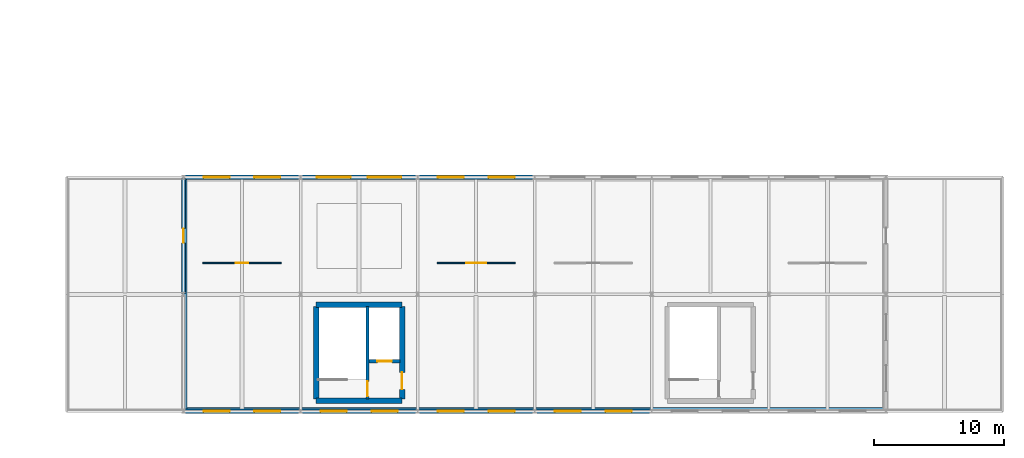
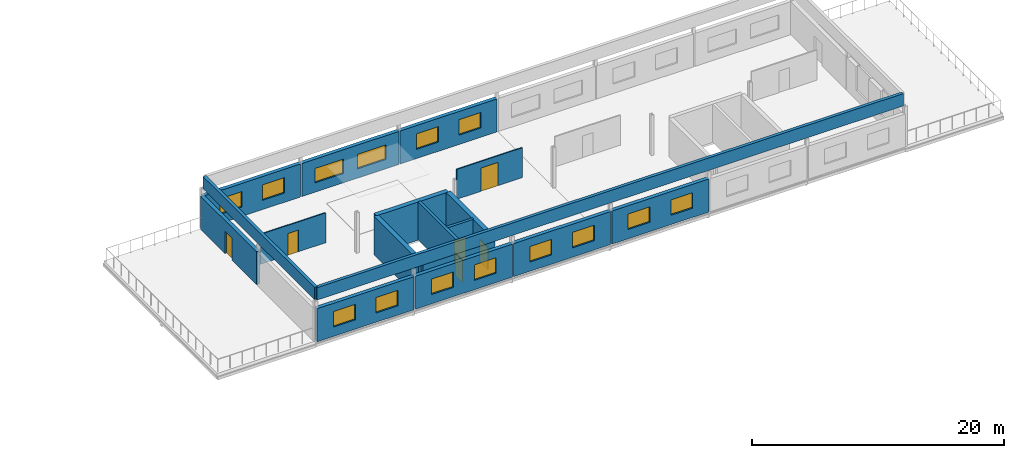
# One storey, part 12 of 18: 18 walls, 14 windows, 6 doors, 20 openings.
"""IFC4 building model written with IfcOpenShell, lengths in metres."""

from ifc_helpers import new_model, si_unit, direction, frame, frame_2d, origin, place, context, subcontext, project, spatial, rectangle, extrude, material, layer, layer_set, type_object, element, fill, save


model = new_model("IFC4")

# Units and contexts
model_context = context("Model", 3, precision=1e-05, world=origin(), true_north=direction((0.0, 1.0)))
body_context = subcontext(model_context, "Body", "Model", "MODEL_VIEW")
ifc_project = project(units=[si_unit("LENGTHUNIT", "METRE"), si_unit("AREAUNIT", "SQUARE_METRE"), si_unit("VOLUMEUNIT", "CUBIC_METRE"), si_unit("PLANEANGLEUNIT", "RADIAN"), si_unit("MASSUNIT", "GRAM", prefix="KILO")], contexts=[model_context])

# Site, building, storey
site_placement = place(None, origin())
site = spatial("IfcSite", under=ifc_project, at=site_placement, CompositionType="ELEMENT")
building_placement = place(site_placement, origin())
building = spatial("IfcBuilding", under=site, at=building_placement, Name="Kildeholm Park Wholesale Market", CompositionType="ELEMENT")
storey_placement = place(building_placement, frame((0.0, 0.0, 13.5)))
storey = spatial("IfcBuildingStorey", under=building, at=storey_placement, Name="L03", CompositionType="ELEMENT", Elevation=13.5)

# Wall, openings, windows
ifc_material_1 = material(Name="Precast concrete C40/50 architectural rainscreen wall", Category="concrete")
ifc_layer_1 = layer(ifc_material_1, 0.340087890625)
ifc_layer_set_1 = layer_set([ifc_layer_1], Name="Precast concrete C40/50 architectural rainscreen wall")
wall_type_1 = type_object("IfcWallType", Name="Exterior wall W-EX4 340 mm", PredefinedType="SOLIDWALL", material=ifc_layer_set_1)
wall_1_placement = place(storey_placement, frame((135.06005859375, 0.0, 0.0), z_axis=(0.0, 0.0, 1.0), x_axis=(1.0, 0.0, 0.0)))
wall_1 = element("IfcWall", 1, at=wall_1_placement, inside=storey, type_object=wall_type_1, Name="Exterior wall V5E-L03-S01.1 WL-0627", PredefinedType="SOLIDWALL", context=body_context, shape_type="SweptSolid", body=[
    extrude(rectangle(XDim=8.8798828125, YDim=0.340087890625, at=frame_2d((4.43994140625, 0.0))), origin(), (0.0, 0.0, 1.0), 3.199951171875),
])
opening_1_placement = place(wall_1_placement, frame((1.486083984375, 0.0, 0.89990234375)))
opening_1 = element("IfcOpeningElement", 2, at=opening_1_placement, cuts=wall_1, Name="Opening WN-12", PredefinedType="OPENING", context=body_context, shape_type="SweptSolid", body=[
    extrude(rectangle(XDim=2.0, YDim=1.5, at=frame_2d((1.0, 0.75))), frame((0.0, 0.179931640625, 0.0), z_axis=(0.0, -1.0, 0.0), x_axis=(1.0, 0.0, 0.0)), (0.0, 0.0, 1.0), 0.360107421875),
])
opening_2_placement = place(wall_1_placement, frame((5.39404296875, 0.0, 0.89990234375)))
opening_2 = element("IfcOpeningElement", 3, at=opening_2_placement, cuts=wall_1, Name="Opening WN-12", PredefinedType="OPENING", context=body_context, shape_type="SweptSolid", body=[
    extrude(rectangle(XDim=2.0, YDim=1.5, at=frame_2d((1.0, 0.75))), frame((0.0, 0.179931640625, 0.0), z_axis=(0.0, -1.0, 0.0), x_axis=(1.0, 0.0, 0.0)), (0.0, 0.0, 1.0), 0.360107421875),
])
ifc_material_2 = material(Name="Thermally broken aluminium and triple-glazed low-E glass", Category="aluminium")
window_type_1 = type_object("IfcWindowType", Name="Window WN-12 2000x1500", PartitioningType="DOUBLE_PANEL_VERTICAL", PredefinedType="WINDOW", material=ifc_material_2)
window_1_placement = place(opening_1_placement, origin())
window_1 = element("IfcWindow", 4, at=window_1_placement, inside=storey, type_object=window_type_1, Name="Window V5E-L03-S01.1.1 WIN-0440", OverallHeight=1.5, OverallWidth=2.0, PartitioningType="SINGLE_PANEL", PredefinedType="WINDOW", context=body_context, shape_type="SweptSolid", body=[
    extrude(rectangle(XDim=2.0, YDim=1.5, at=frame_2d((1.0, 0.75))), frame((0.0, 0.030029296875, 0.0), z_axis=(0.0, -1.0, 0.0), x_axis=(1.0, 0.0, 0.0)), (0.0, 0.0, 1.0), 0.06005859375),
])
fill(opening_1, window_1)
window_2_placement = place(opening_2_placement, origin())
window_2 = element("IfcWindow", 5, at=window_2_placement, inside=storey, type_object=window_type_1, Name="Window V5E-L03-S01.1.2 WIN-0441", OverallHeight=1.5, OverallWidth=2.0, PartitioningType="SINGLE_PANEL", PredefinedType="WINDOW", context=body_context, shape_type="SweptSolid", body=[
    extrude(rectangle(XDim=2.0, YDim=1.5, at=frame_2d((1.0, 0.75))), frame((0.0, 0.030029296875, 0.0), z_axis=(0.0, -1.0, 0.0), x_axis=(1.0, 0.0, 0.0)), (0.0, 0.0, 1.0), 0.06005859375),
])
fill(opening_2, window_2)

wall_2_placement = place(storey_placement, frame((144.06005859375, 0.0, 0.0), z_axis=(0.0, 0.0, 1.0), x_axis=(1.0, 0.0, 0.0)))
wall_2 = element("IfcWall", 6, at=wall_2_placement, inside=storey, type_object=wall_type_1, Name="Exterior wall V5E-L03-S02.1 WL-0628", PredefinedType="SOLIDWALL", context=body_context, shape_type="SweptSolid", body=[
    extrude(rectangle(XDim=8.8798828125, YDim=0.340087890625, at=frame_2d((4.43994140625, 0.0))), origin(), (0.0, 0.0, 1.0), 3.199951171875),
])
opening_3_placement = place(wall_2_placement, frame((1.486083984375, 0.0, 0.89990234375)))
opening_3 = element("IfcOpeningElement", 7, at=opening_3_placement, cuts=wall_2, Name="Opening WN-12", PredefinedType="OPENING", context=body_context, shape_type="SweptSolid", body=[
    extrude(rectangle(XDim=2.0, YDim=1.5, at=frame_2d((1.0, 0.75))), frame((0.0, 0.179931640625, 0.0), z_axis=(0.0, -1.0, 0.0), x_axis=(1.0, 0.0, 0.0)), (0.0, 0.0, 1.0), 0.360107421875),
])
opening_4_placement = place(wall_2_placement, frame((5.39404296875, 0.0, 0.89990234375)))
opening_4 = element("IfcOpeningElement", 8, at=opening_4_placement, cuts=wall_2, Name="Opening WN-12", PredefinedType="OPENING", context=body_context, shape_type="SweptSolid", body=[
    extrude(rectangle(XDim=2.0, YDim=1.5, at=frame_2d((1.0, 0.75))), frame((0.0, 0.179931640625, 0.0), z_axis=(0.0, -1.0, 0.0), x_axis=(1.0, 0.0, 0.0)), (0.0, 0.0, 1.0), 0.360107421875),
])
window_3_placement = place(opening_3_placement, origin())
window_3 = element("IfcWindow", 9, at=window_3_placement, inside=storey, type_object=window_type_1, Name="Window V5E-L03-S02.1.1 WIN-0442", OverallHeight=1.5, OverallWidth=2.0, PartitioningType="SINGLE_PANEL", PredefinedType="WINDOW", context=body_context, shape_type="SweptSolid", body=[
    extrude(rectangle(XDim=2.0, YDim=1.5, at=frame_2d((1.0, 0.75))), frame((0.0, 0.030029296875, 0.0), z_axis=(0.0, -1.0, 0.0), x_axis=(1.0, 0.0, 0.0)), (0.0, 0.0, 1.0), 0.06005859375),
])
fill(opening_3, window_3)
window_4_placement = place(opening_4_placement, origin())
window_4 = element("IfcWindow", 10, at=window_4_placement, inside=storey, type_object=window_type_1, Name="Window V5E-L03-S02.1.2 WIN-0443", OverallHeight=1.5, OverallWidth=2.0, PartitioningType="SINGLE_PANEL", PredefinedType="WINDOW", context=body_context, shape_type="SweptSolid", body=[
    extrude(rectangle(XDim=2.0, YDim=1.5, at=frame_2d((1.0, 0.75))), frame((0.0, 0.030029296875, 0.0), z_axis=(0.0, -1.0, 0.0), x_axis=(1.0, 0.0, 0.0)), (0.0, 0.0, 1.0), 0.06005859375),
])
fill(opening_4, window_4)

wall_3_placement = place(storey_placement, frame((153.06005859375, 0.0, 0.0), z_axis=(0.0, 0.0, 1.0), x_axis=(1.0, 0.0, 0.0)))
wall_3 = element("IfcWall", 11, at=wall_3_placement, inside=storey, type_object=wall_type_1, Name="Exterior wall V5E-L03-S03.1 WL-0629", PredefinedType="SOLIDWALL", context=body_context, shape_type="SweptSolid", body=[
    extrude(rectangle(XDim=8.8798828125, YDim=0.340087890625, at=frame_2d((4.43994140625, 0.0))), origin(), (0.0, 0.0, 1.0), 3.199951171875),
])
opening_5_placement = place(wall_3_placement, frame((1.486083984375, 0.0, 0.89990234375)))
opening_5 = element("IfcOpeningElement", 12, at=opening_5_placement, cuts=wall_3, Name="Opening WN-12", PredefinedType="OPENING", context=body_context, shape_type="SweptSolid", body=[
    extrude(rectangle(XDim=2.0, YDim=1.5, at=frame_2d((1.0, 0.75))), frame((0.0, 0.179931640625, 0.0), z_axis=(0.0, -1.0, 0.0), x_axis=(1.0, 0.0, 0.0)), (0.0, 0.0, 1.0), 0.360107421875),
])
opening_6_placement = place(wall_3_placement, frame((5.39404296875, 0.0, 0.89990234375)))
opening_6 = element("IfcOpeningElement", 13, at=opening_6_placement, cuts=wall_3, Name="Opening WN-12", PredefinedType="OPENING", context=body_context, shape_type="SweptSolid", body=[
    extrude(rectangle(XDim=2.0, YDim=1.5, at=frame_2d((1.0, 0.75))), frame((0.0, 0.179931640625, 0.0), z_axis=(0.0, -1.0, 0.0), x_axis=(1.0, 0.0, 0.0)), (0.0, 0.0, 1.0), 0.360107421875),
])
window_5_placement = place(opening_5_placement, origin())
window_5 = element("IfcWindow", 14, at=window_5_placement, inside=storey, type_object=window_type_1, Name="Window V5E-L03-S03.1.1 WIN-0444", OverallHeight=1.5, OverallWidth=2.0, PartitioningType="SINGLE_PANEL", PredefinedType="WINDOW", context=body_context, shape_type="SweptSolid", body=[
    extrude(rectangle(XDim=2.0, YDim=1.5, at=frame_2d((1.0, 0.75))), frame((0.0, 0.030029296875, 0.0), z_axis=(0.0, -1.0, 0.0), x_axis=(1.0, 0.0, 0.0)), (0.0, 0.0, 1.0), 0.06005859375),
])
fill(opening_5, window_5)
window_6_placement = place(opening_6_placement, origin())
window_6 = element("IfcWindow", 15, at=window_6_placement, inside=storey, type_object=window_type_1, Name="Window V5E-L03-S03.1.2 WIN-0445", OverallHeight=1.5, OverallWidth=2.0, PartitioningType="SINGLE_PANEL", PredefinedType="WINDOW", context=body_context, shape_type="SweptSolid", body=[
    extrude(rectangle(XDim=2.0, YDim=1.5, at=frame_2d((1.0, 0.75))), frame((0.0, 0.030029296875, 0.0), z_axis=(0.0, -1.0, 0.0), x_axis=(1.0, 0.0, 0.0)), (0.0, 0.0, 1.0), 0.06005859375),
])
fill(opening_6, window_6)

wall_4_placement = place(storey_placement, frame((162.06005859375, 0.0, 0.0), z_axis=(0.0, 0.0, 1.0), x_axis=(1.0, 0.0, 0.0)))
wall_4 = element("IfcWall", 16, at=wall_4_placement, inside=storey, type_object=wall_type_1, Name="Exterior wall V5E-L03-S04.1 WL-0630", PredefinedType="SOLIDWALL", context=body_context, shape_type="SweptSolid", body=[
    extrude(rectangle(XDim=8.8798828125, YDim=0.340087890625, at=frame_2d((4.43994140625, 0.0))), origin(), (0.0, 0.0, 1.0), 3.199951171875),
])
opening_7_placement = place(wall_4_placement, frame((1.486083984375, 0.0, 0.89990234375)))
opening_7 = element("IfcOpeningElement", 17, at=opening_7_placement, cuts=wall_4, Name="Opening WN-12", PredefinedType="OPENING", context=body_context, shape_type="SweptSolid", body=[
    extrude(rectangle(XDim=2.0, YDim=1.5, at=frame_2d((1.0, 0.75))), frame((0.0, 0.179931640625, 0.0), z_axis=(0.0, -1.0, 0.0), x_axis=(1.0, 0.0, 0.0)), (0.0, 0.0, 1.0), 0.360107421875),
])
opening_8_placement = place(wall_4_placement, frame((5.39404296875, 0.0, 0.89990234375)))
opening_8 = element("IfcOpeningElement", 18, at=opening_8_placement, cuts=wall_4, Name="Opening WN-12", PredefinedType="OPENING", context=body_context, shape_type="SweptSolid", body=[
    extrude(rectangle(XDim=2.0, YDim=1.5, at=frame_2d((1.0, 0.75))), frame((0.0, 0.179931640625, 0.0), z_axis=(0.0, -1.0, 0.0), x_axis=(1.0, 0.0, 0.0)), (0.0, 0.0, 1.0), 0.360107421875),
])
window_7_placement = place(opening_7_placement, origin())
window_7 = element("IfcWindow", 19, at=window_7_placement, inside=storey, type_object=window_type_1, Name="Window V5E-L03-S04.1.1 WIN-0446", OverallHeight=1.5, OverallWidth=2.0, PartitioningType="SINGLE_PANEL", PredefinedType="WINDOW", context=body_context, shape_type="SweptSolid", body=[
    extrude(rectangle(XDim=2.0, YDim=1.5, at=frame_2d((1.0, 0.75))), frame((0.0, 0.030029296875, 0.0), z_axis=(0.0, -1.0, 0.0), x_axis=(1.0, 0.0, 0.0)), (0.0, 0.0, 1.0), 0.06005859375),
])
fill(opening_7, window_7)
window_8_placement = place(opening_8_placement, origin())
window_8 = element("IfcWindow", 20, at=window_8_placement, inside=storey, type_object=window_type_1, Name="Window V5E-L03-S04.1.2 WIN-0447", OverallHeight=1.5, OverallWidth=2.0, PartitioningType="SINGLE_PANEL", PredefinedType="WINDOW", context=body_context, shape_type="SweptSolid", body=[
    extrude(rectangle(XDim=2.0, YDim=1.5, at=frame_2d((1.0, 0.75))), frame((0.0, 0.030029296875, 0.0), z_axis=(0.0, -1.0, 0.0), x_axis=(1.0, 0.0, 0.0)), (0.0, 0.0, 1.0), 0.06005859375),
])
fill(opening_8, window_8)

wall_5_placement = place(storey_placement, frame((135.06005859375, 18.0, 0.0), z_axis=(0.0, 0.0, 1.0), x_axis=(1.0, 0.0, 0.0)))
wall_5 = element("IfcWall", 21, at=wall_5_placement, inside=storey, type_object=wall_type_1, Name="Exterior wall V5E-L03-N.1 WL-0633", PredefinedType="SOLIDWALL", context=body_context, shape_type="SweptSolid", body=[
    extrude(rectangle(XDim=8.8798828125, YDim=0.340087890625, at=frame_2d((4.43994140625, 0.0))), origin(), (0.0, 0.0, 1.0), 3.199951171875),
])
opening_9_placement = place(wall_5_placement, frame((1.486083984375, 0.0, 0.89990234375)))
opening_9 = element("IfcOpeningElement", 22, at=opening_9_placement, cuts=wall_5, Name="Opening WN-12", PredefinedType="OPENING", context=body_context, shape_type="SweptSolid", body=[
    extrude(rectangle(XDim=2.0, YDim=1.5, at=frame_2d((1.0, 0.75))), frame((0.0, 0.179931640625, 0.0), z_axis=(0.0, -1.0, 0.0), x_axis=(1.0, 0.0, 0.0)), (0.0, 0.0, 1.0), 0.360107421875),
])
opening_10_placement = place(wall_5_placement, frame((5.39404296875, 0.0, 0.89990234375)))
opening_10 = element("IfcOpeningElement", 23, at=opening_10_placement, cuts=wall_5, Name="Opening WN-12", PredefinedType="OPENING", context=body_context, shape_type="SweptSolid", body=[
    extrude(rectangle(XDim=2.0, YDim=1.5, at=frame_2d((1.0, 0.75))), frame((0.0, 0.179931640625, 0.0), z_axis=(0.0, -1.0, 0.0), x_axis=(1.0, 0.0, 0.0)), (0.0, 0.0, 1.0), 0.360107421875),
])
window_9_placement = place(opening_9_placement, origin())
window_9 = element("IfcWindow", 24, at=window_9_placement, inside=storey, type_object=window_type_1, Name="Window V5E-L03-N.1.1 WIN-0452", OverallHeight=1.5, OverallWidth=2.0, PartitioningType="SINGLE_PANEL", PredefinedType="WINDOW", context=body_context, shape_type="SweptSolid", body=[
    extrude(rectangle(XDim=2.0, YDim=1.5, at=frame_2d((1.0, 0.75))), frame((0.0, 0.030029296875, 0.0), z_axis=(0.0, -1.0, 0.0), x_axis=(1.0, 0.0, 0.0)), (0.0, 0.0, 1.0), 0.06005859375),
])
fill(opening_9, window_9)
window_10_placement = place(opening_10_placement, origin())
window_10 = element("IfcWindow", 25, at=window_10_placement, inside=storey, type_object=window_type_1, Name="Window V5E-L03-N.1.2 WIN-0453", OverallHeight=1.5, OverallWidth=2.0, PartitioningType="SINGLE_PANEL", PredefinedType="WINDOW", context=body_context, shape_type="SweptSolid", body=[
    extrude(rectangle(XDim=2.0, YDim=1.5, at=frame_2d((1.0, 0.75))), frame((0.0, 0.030029296875, 0.0), z_axis=(0.0, -1.0, 0.0), x_axis=(1.0, 0.0, 0.0)), (0.0, 0.0, 1.0), 0.06005859375),
])
fill(opening_10, window_10)

wall_6_placement = place(storey_placement, frame((144.06005859375, 18.0, 0.0), z_axis=(0.0, 0.0, 1.0), x_axis=(1.0, 0.0, 0.0)))
wall_6 = element("IfcWall", 26, at=wall_6_placement, inside=storey, type_object=wall_type_1, Name="Exterior wall V5E-L03-N.2 WL-0634", PredefinedType="SOLIDWALL", context=body_context, shape_type="SweptSolid", body=[
    extrude(rectangle(XDim=8.8798828125, YDim=0.340087890625, at=frame_2d((4.43994140625, 0.0))), origin(), (0.0, 0.0, 1.0), 3.199951171875),
])
opening_11_placement = place(wall_6_placement, frame((1.18603515625, 0.0, 0.89990234375)))
opening_11 = element("IfcOpeningElement", 27, at=opening_11_placement, cuts=wall_6, Name="Opening WN-13", PredefinedType="OPENING", context=body_context, shape_type="SweptSolid", body=[
    extrude(rectangle(XDim=2.60009765625, YDim=1.39990234375, at=frame_2d((1.300048828125, 0.699951171875))), frame((0.0, 0.179931640625, 0.0), z_axis=(0.0, -1.0, 0.0), x_axis=(1.0, 0.0, 0.0)), (0.0, 0.0, 1.0), 0.360107421875),
])
opening_12_placement = place(wall_6_placement, frame((5.093994140625, 0.0, 0.89990234375)))
opening_12 = element("IfcOpeningElement", 28, at=opening_12_placement, cuts=wall_6, Name="Opening WN-13", PredefinedType="OPENING", context=body_context, shape_type="SweptSolid", body=[
    extrude(rectangle(XDim=2.60009765625, YDim=1.39990234375, at=frame_2d((1.300048828125, 0.699951171875))), frame((0.0, 0.179931640625, 0.0), z_axis=(0.0, -1.0, 0.0), x_axis=(1.0, 0.0, 0.0)), (0.0, 0.0, 1.0), 0.360107421875),
])
window_type_2 = type_object("IfcWindowType", Name="Window WN-13 2600x1400", PartitioningType="TRIPLE_PANEL_VERTICAL", PredefinedType="WINDOW", material=ifc_material_2)
window_11_placement = place(opening_11_placement, origin())
window_11 = element("IfcWindow", 29, at=window_11_placement, inside=storey, type_object=window_type_2, Name="Window V5E-L03-N.2.1 WIN-0454", OverallHeight=1.39990234375, OverallWidth=2.60009765625, PartitioningType="SINGLE_PANEL", PredefinedType="WINDOW", context=body_context, shape_type="SweptSolid", body=[
    extrude(rectangle(XDim=2.60009765625, YDim=1.39990234375, at=frame_2d((1.300048828125, 0.699951171875))), frame((0.0, 0.030029296875, 0.0), z_axis=(0.0, -1.0, 0.0), x_axis=(1.0, 0.0, 0.0)), (0.0, 0.0, 1.0), 0.06005859375),
])
fill(opening_11, window_11)
window_12_placement = place(opening_12_placement, origin())
window_12 = element("IfcWindow", 30, at=window_12_placement, inside=storey, type_object=window_type_2, Name="Window V5E-L03-N.2.2 WIN-0455", OverallHeight=1.39990234375, OverallWidth=2.60009765625, PartitioningType="SINGLE_PANEL", PredefinedType="WINDOW", context=body_context, shape_type="SweptSolid", body=[
    extrude(rectangle(XDim=2.60009765625, YDim=1.39990234375, at=frame_2d((1.300048828125, 0.699951171875))), frame((0.0, 0.030029296875, 0.0), z_axis=(0.0, -1.0, 0.0), x_axis=(1.0, 0.0, 0.0)), (0.0, 0.0, 1.0), 0.06005859375),
])
fill(opening_12, window_12)

wall_7_placement = place(storey_placement, frame((153.06005859375, 18.0, 0.0), z_axis=(0.0, 0.0, 1.0), x_axis=(1.0, 0.0, 0.0)))
wall_7 = element("IfcWall", 31, at=wall_7_placement, inside=storey, type_object=wall_type_1, Name="Exterior wall V5E-L03-N.3 WL-0635", PredefinedType="SOLIDWALL", context=body_context, shape_type="SweptSolid", body=[
    extrude(rectangle(XDim=8.8798828125, YDim=0.340087890625, at=frame_2d((4.43994140625, 0.0))), origin(), (0.0, 0.0, 1.0), 3.199951171875),
])
opening_13_placement = place(wall_7_placement, frame((1.486083984375, 0.0, 0.89990234375)))
opening_13 = element("IfcOpeningElement", 32, at=opening_13_placement, cuts=wall_7, Name="Opening WN-12", PredefinedType="OPENING", context=body_context, shape_type="SweptSolid", body=[
    extrude(rectangle(XDim=2.0, YDim=1.5, at=frame_2d((1.0, 0.75))), frame((0.0, 0.179931640625, 0.0), z_axis=(0.0, -1.0, 0.0), x_axis=(1.0, 0.0, 0.0)), (0.0, 0.0, 1.0), 0.360107421875),
])
opening_14_placement = place(wall_7_placement, frame((5.39404296875, 0.0, 0.89990234375)))
opening_14 = element("IfcOpeningElement", 33, at=opening_14_placement, cuts=wall_7, Name="Opening WN-12", PredefinedType="OPENING", context=body_context, shape_type="SweptSolid", body=[
    extrude(rectangle(XDim=2.0, YDim=1.5, at=frame_2d((1.0, 0.75))), frame((0.0, 0.179931640625, 0.0), z_axis=(0.0, -1.0, 0.0), x_axis=(1.0, 0.0, 0.0)), (0.0, 0.0, 1.0), 0.360107421875),
])
window_13_placement = place(opening_13_placement, origin())
window_13 = element("IfcWindow", 34, at=window_13_placement, inside=storey, type_object=window_type_1, Name="Window V5E-L03-N.3.1 WIN-0456", OverallHeight=1.5, OverallWidth=2.0, PartitioningType="SINGLE_PANEL", PredefinedType="WINDOW", context=body_context, shape_type="SweptSolid", body=[
    extrude(rectangle(XDim=2.0, YDim=1.5, at=frame_2d((1.0, 0.75))), frame((0.0, 0.030029296875, 0.0), z_axis=(0.0, -1.0, 0.0), x_axis=(1.0, 0.0, 0.0)), (0.0, 0.0, 1.0), 0.06005859375),
])
fill(opening_13, window_13)
window_14_placement = place(opening_14_placement, origin())
window_14 = element("IfcWindow", 35, at=window_14_placement, inside=storey, type_object=window_type_1, Name="Window V5E-L03-N.3.2 WIN-0457", OverallHeight=1.5, OverallWidth=2.0, PartitioningType="SINGLE_PANEL", PredefinedType="WINDOW", context=body_context, shape_type="SweptSolid", body=[
    extrude(rectangle(XDim=2.0, YDim=1.5, at=frame_2d((1.0, 0.75))), frame((0.0, 0.030029296875, 0.0), z_axis=(0.0, -1.0, 0.0), x_axis=(1.0, 0.0, 0.0)), (0.0, 0.0, 1.0), 0.06005859375),
])
fill(opening_14, window_14)

# Wall, opening, door
wall_8_placement = place(storey_placement, frame((135.0, 9.06005859375, 0.0), z_axis=(0.0, 0.0, 1.0), x_axis=(0.0, 1.0, 0.0)))
wall_8 = element("IfcWall", 36, at=wall_8_placement, inside=storey, type_object=wall_type_1, Name="Exterior wall V5E-L03-W.2 WL-0640", PredefinedType="SOLIDWALL", context=body_context, shape_type="SweptSolid", body=[
    extrude(rectangle(XDim=8.8798828125, YDim=0.340087890625, at=frame_2d((4.43994140625, 0.0))), origin(), (0.0, 0.0, 1.0), 3.199951171875),
])
opening_15_placement = place(wall_8_placement, frame((3.889892578125, 0.0, 0.0)))
opening_15 = element("IfcOpeningElement", 37, at=opening_15_placement, cuts=wall_8, Name="Opening D-EX06", PredefinedType="OPENING", context=body_context, shape_type="SweptSolid", body=[
    extrude(rectangle(XDim=1.10009765625, YDim=2.14990234375, at=frame_2d((0.550048828125, 1.074951171875))), frame((0.0, 0.179931640625, 0.0), z_axis=(0.0, -1.0, 0.0), x_axis=(1.0, 0.0, 0.0)), (0.0, 0.0, 1.0), 0.360107421875),
])
ifc_material_3 = material(Name="Anodised aluminium terrace doorset", Category="aluminium")
door_type_1 = type_object("IfcDoorType", Name="Exterior door D-EX06 1100x2150", OperationType="NOTDEFINED", PredefinedType="DOOR", material=ifc_material_3)
door_1_placement = place(opening_15_placement, origin())
door_1 = element("IfcDoor", 38, at=door_1_placement, inside=storey, type_object=door_type_1, Name="Door V5E-L03-W.2 DR-0070 WL-0640", OperationType="SINGLE_SWING_RIGHT", OverallHeight=2.14990234375, OverallWidth=1.10009765625, PredefinedType="DOOR", context=body_context, shape_type="SweptSolid", body=[
    extrude(rectangle(XDim=1.10009765625, YDim=2.14990234375, at=frame_2d((0.550048828125, 1.074951171875))), frame((0.0, 0.02490234375, 0.0), z_axis=(0.0, -1.0, 0.0), x_axis=(1.0, 0.0, 0.0)), (0.0, 0.0, 1.0), 0.050048828125),
])
fill(opening_15, door_1)

# Walls
ifc_material_4 = material(Name="Red Danish clinker brick masonry parapet", Category="masonry")
ifc_layer_2 = layer(ifc_material_4, 0.280029296875)
ifc_layer_set_2 = layer_set([ifc_layer_2], Name="Red Danish clinker brick masonry parapet")
wall_type_2 = type_object("IfcWallType", Name="Exterior wall W-PR2 280 mm", PredefinedType="PARAPET", material=ifc_layer_set_2)
wall_9_placement = place(storey_placement, frame((135.139892578125, 0.139892578125, 3.89990234375), z_axis=(0.0, 0.0, 1.0), x_axis=(1.0, 0.0, 0.0)))
element("IfcWall", 39, at=wall_9_placement, inside=storey, type_object=wall_type_2, Name="V5E roof parapet S WL-0643", PredefinedType="PARAPET", context=body_context, shape_type="SweptSolid", body=[
    extrude(rectangle(XDim=53.72021484375, YDim=0.280029296875, at=frame_2d((26.860107421875, 0.0))), origin(), (0.0, 0.0, 1.0), 1.2001953125),
])
wall_10_placement = place(storey_placement, frame((135.139892578125, 0.139892578125, 3.89990234375), z_axis=(0.0, 0.0, 1.0), x_axis=(0.0, 1.0, 0.0)))
element("IfcWall", 40, at=wall_10_placement, inside=storey, type_object=wall_type_2, Name="V5E roof parapet W WL-0645", PredefinedType="PARAPET", context=body_context, shape_type="SweptSolid", body=[
    extrude(rectangle(XDim=17.72021484375, YDim=0.280029296875, at=frame_2d((8.860107421875, 0.0))), origin(), (0.0, 0.0, 1.0), 1.2001953125),
])

# Wall, opening, door
ifc_material_5 = material(Name="Galvanized steel stud and gypsum acoustic partition", Category="steel")
ifc_layer_3 = layer(ifc_material_5, 0.10009765625)
ifc_layer_set_3 = layer_set([ifc_layer_3], Name="Galvanized steel stud and gypsum acoustic partition")
wall_type_3 = type_object("IfcWallType", Name="Partition W-PT01 100 mm", PredefinedType="PARTITIONING", material=ifc_layer_set_3)
wall_11_placement = place(storey_placement, frame((136.5, 11.39990234375, 0.0), z_axis=(0.0, 0.0, 1.0), x_axis=(1.0, 0.0, 0.0)))
wall_11 = element("IfcWall", 41, at=wall_11_placement, inside=storey, type_object=wall_type_3, Name="Interior partition W-V5E-L03-C1 WL-1051", PredefinedType="PARTITIONING", context=body_context, shape_type="SweptSolid", body=[
    extrude(rectangle(XDim=6.0, YDim=0.10009765625, at=frame_2d((3.0, 0.0))), origin(), (0.0, 0.0, 1.0), 2.89990234375),
])
opening_16_placement = place(wall_11_placement, frame((2.52490234375, 0.0, 0.0)))
opening_16 = element("IfcOpeningElement", 42, at=opening_16_placement, cuts=wall_11, Name="Opening D-IN01", PredefinedType="OPENING", context=body_context, shape_type="SweptSolid", body=[
    extrude(rectangle(XDim=0.949951171875, YDim=2.10009765625, at=frame_2d((0.47509765625, 1.050048828125))), frame((0.0, 0.06005859375, 0.0), z_axis=(0.0, -1.0, 0.0), x_axis=(1.0, 0.0, 0.0)), (0.0, 0.0, 1.0), 0.1201171875),
])
ifc_material_6 = material(Name="Solid-core hardwood office doorset", Category="wood")
door_type_2 = type_object("IfcDoorType", Name="Interior door D-IN01 950x2100", OperationType="NOTDEFINED", PredefinedType="DOOR", material=ifc_material_6)
door_2_placement = place(opening_16_placement, origin())
door_2 = element("IfcDoor", 43, at=door_2_placement, inside=storey, type_object=door_type_2, Name="Interior door V5E-L03-C1 DR-0326 WL-1051", OperationType="SINGLE_SWING_RIGHT", OverallHeight=2.10009765625, OverallWidth=0.949951171875, PredefinedType="DOOR", context=body_context, shape_type="SweptSolid", body=[
    extrude(rectangle(XDim=0.949951171875, YDim=2.10009765625, at=frame_2d((0.47509765625, 1.050048828125))), frame((0.0, 0.02490234375, 0.0), z_axis=(0.0, -1.0, 0.0), x_axis=(1.0, 0.0, 0.0)), (0.0, 0.0, 1.0), 0.050048828125),
])
fill(opening_16, door_2)

wall_12_placement = place(storey_placement, frame((154.5, 11.39990234375, 0.0), z_axis=(0.0, 0.0, 1.0), x_axis=(1.0, 0.0, 0.0)))
wall_12 = element("IfcWall", 44, at=wall_12_placement, inside=storey, type_object=wall_type_3, Name="Interior partition W-V5E-L03-C3 WL-1052", PredefinedType="PARTITIONING", context=body_context, shape_type="SweptSolid", body=[
    extrude(rectangle(XDim=6.0, YDim=0.10009765625, at=frame_2d((3.0, 0.0))), origin(), (0.0, 0.0, 1.0), 2.89990234375),
])
opening_17_placement = place(wall_12_placement, frame((2.22509765625, 0.0, 0.0)))
opening_17 = element("IfcOpeningElement", 45, at=opening_17_placement, cuts=wall_12, Name="Opening D-IN12", PredefinedType="OPENING", context=body_context, shape_type="SweptSolid", body=[
    extrude(rectangle(XDim=1.550048828125, YDim=2.25, at=frame_2d((0.77490234375, 1.125))), frame((0.0, 0.06005859375, 0.0), z_axis=(0.0, -1.0, 0.0), x_axis=(1.0, 0.0, 0.0)), (0.0, 0.0, 1.0), 0.1201171875),
])
ifc_material_7 = material(Name="Boardroom double-leaf timber doorset", Category="wood")
door_type_3 = type_object("IfcDoorType", Name="Interior door D-IN12 1550x2250", OperationType="NOTDEFINED", PredefinedType="DOOR", material=ifc_material_7)
door_3_placement = place(opening_17_placement, origin())
door_3 = element("IfcDoor", 46, at=door_3_placement, inside=storey, type_object=door_type_3, Name="Interior door V5E-L03-C3 DR-0327 WL-1052", OperationType="SINGLE_SWING_LEFT", OverallHeight=2.25, OverallWidth=1.550048828125, PredefinedType="DOOR", context=body_context, shape_type="SweptSolid", body=[
    extrude(rectangle(XDim=1.550048828125, YDim=2.25, at=frame_2d((0.77490234375, 1.125))), frame((0.0, 0.02490234375, 0.0), z_axis=(0.0, -1.0, 0.0), x_axis=(1.0, 0.0, 0.0)), (0.0, 0.0, 1.0), 0.050048828125),
])
fill(opening_17, door_3)

ifc_material_8 = material(Name="Concrete C40/50", Category="concrete")
ifc_layer_4 = layer(ifc_material_8, 0.25)
ifc_layer_set_4 = layer_set([ifc_layer_4], Name="Concrete C40/50")
wall_type_4 = type_object("IfcWallType", Name="Shear wall W-SH2 250 mm", PredefinedType="SHEAR", material=ifc_layer_set_4)
wall_13_placement = place(storey_placement, frame((149.14990234375, 0.949951171875, 0.0), z_axis=(0.0, 0.0, 1.0), x_axis=(0.0, 1.0, 0.0)))
wall_13 = element("IfcWall", 47, at=wall_13_placement, inside=storey, type_object=wall_type_4, Name="Core C06 shaft wall L03 WL-0770", PredefinedType="SHEAR", context=body_context, shape_type="SweptSolid", body=[
    extrude(rectangle(XDim=7.10009765625, YDim=0.25, at=frame_2d((3.550048828125, 0.0))), origin(), (0.0, 0.0, 1.0), 3.699951171875),
])
opening_18_placement = place(wall_13_placement, frame((0.199951171875, 0.0, 0.0)))
opening_18 = element("IfcOpeningElement", 48, at=opening_18_placement, cuts=wall_13, Name="Opening D-CR01", PredefinedType="OPENING", context=body_context, shape_type="SweptSolid", body=[
    extrude(rectangle(XDim=1.14990234375, YDim=2.14990234375, at=frame_2d((0.574951171875, 1.074951171875))), frame((0.0, 0.135009765625, 0.0), z_axis=(0.0, -1.0, 0.0), x_axis=(1.0, 0.0, 0.0)), (0.0, 0.0, 1.0), 0.27001953125),
])
ifc_material_9 = material(Name="Painted steel fire escape doorset", Category="steel")
door_type_4 = type_object("IfcDoorType", Name="Interior door D-CR01 1150x2150", OperationType="NOTDEFINED", PredefinedType="DOOR", material=ifc_material_9)
door_4_placement = place(opening_18_placement, frame((1.14990234375, 0.0, 0.0), z_axis=(0.0, 0.0, 1.0), x_axis=(-1.0, 0.0, 0.0)))
door_4 = element("IfcDoor", 49, at=door_4_placement, inside=storey, type_object=door_type_4, Name="Core C06 stair fire door L03 DR-0135 WL-0770", OperationType="SINGLE_SWING_RIGHT", OverallHeight=2.14990234375, OverallWidth=1.14990234375, PredefinedType="DOOR", context=body_context, shape_type="SweptSolid", body=[
    extrude(rectangle(XDim=1.14990234375, YDim=2.14990234375, at=frame_2d((0.574951171875, 1.074951171875))), frame((0.0, 0.02490234375, 0.0), z_axis=(0.0, -1.0, 0.0), x_axis=(1.0, 0.0, 0.0)), (0.0, 0.0, 1.0), 0.050048828125),
])
fill(opening_18, door_4)

wall_14_placement = place(storey_placement, frame((149.27001953125, 3.85009765625, 0.0), z_axis=(0.0, 0.0, 1.0), x_axis=(1.0, 0.0, 0.0)))
wall_14 = element("IfcWall", 50, at=wall_14_placement, inside=storey, type_object=wall_type_4, Name="Lift LF-02 shaft front wall L03 WL-0771", PredefinedType="SHEAR", context=body_context, shape_type="SweptSolid", body=[
    extrude(rectangle(XDim=2.3798828125, YDim=0.25, at=frame_2d((1.18994140625, 0.0))), origin(), (0.0, 0.0, 1.0), 3.699951171875),
])
opening_19_placement = place(wall_14_placement, frame((0.639892578125, 0.0, 0.0)))
opening_19 = element("IfcOpeningElement", 51, at=opening_19_placement, cuts=wall_14, Name="Opening LD-02", PredefinedType="OPENING", context=body_context, shape_type="SweptSolid", body=[
    extrude(rectangle(XDim=1.10009765625, YDim=2.14990234375, at=frame_2d((0.550048828125, 1.074951171875))), frame((0.0, 0.135009765625, 0.0), z_axis=(0.0, -1.0, 0.0), x_axis=(1.0, 0.0, 0.0)), (0.0, 0.0, 1.0), 0.27001953125),
])
ifc_material_10 = material(Name="Stainless steel AISI 316 passenger lift landing door", Category="steel")
door_type_5 = type_object("IfcDoorType", Name="Interior door D-LD01 1100x2150", OperationType="NOTDEFINED", PredefinedType="DOOR", material=ifc_material_10)
door_5_placement = place(opening_19_placement, origin())
door_5 = element("IfcDoor", 52, at=door_5_placement, inside=storey, type_object=door_type_5, Name="Lift LF-02 sliding landing door L03 DR-0136 WL-0771", OperationType="SLIDING_TO_LEFT", OverallHeight=2.14990234375, OverallWidth=1.10009765625, PredefinedType="DOOR", context=body_context, shape_type="SweptSolid", body=[
    extrude(rectangle(XDim=1.10009765625, YDim=2.14990234375, at=frame_2d((0.550048828125, 1.074951171875))), frame((0.0, 0.02490234375, 0.0), z_axis=(0.0, -1.0, 0.0), x_axis=(1.0, 0.0, 0.0)), (0.0, 0.0, 1.0), 0.050048828125),
])
fill(opening_19, door_5)

# Walls
ifc_layer_5 = layer(ifc_material_8, 0.419921875)
ifc_layer_set_5 = layer_set([ifc_layer_5], Name="Concrete C40/50")
wall_type_5 = type_object("IfcWallType", Name="Shear wall W-SH4 420 mm", PredefinedType="SHEAR", material=ifc_layer_set_5)
for number, where, z_axis, x_axis, name in (
    (53, (145.199951171875, 0.800048828125, 0.0), (0.0, 0.0, 1.0), (1.0, 0.0, 0.0), "Core C06 south shear wall L03 WL-0766"),
    (54, (145.199951171875, 8.199951171875, 0.0), (0.0, 0.0, 1.0), (1.0, 0.0, 0.0), "Core C06 north shear wall L03 WL-0767"),
):
    element("IfcWall", number, at=place(storey_placement, frame(where, z_axis=z_axis, x_axis=x_axis)), inside=storey, type_object=wall_type_5, Name=name, PredefinedType="SHEAR", context=body_context, shape_type="SweptSolid", body=[
        extrude(rectangle(XDim=6.60009765625, YDim=0.419921875, at=frame_2d((3.300048828125, 0.0))), origin(), (0.0, 0.0, 1.0), 3.699951171875),
    ])
wall_15_placement = place(storey_placement, frame((145.199951171875, 0.949951171875, 0.0), z_axis=(0.0, 0.0, 1.0), x_axis=(0.0, 1.0, 0.0)))
element("IfcWall", 55, at=wall_15_placement, inside=storey, type_object=wall_type_5, Name="Core C06 west shear wall L03 WL-0768", PredefinedType="SHEAR", context=body_context, shape_type="SweptSolid", body=[
    extrude(rectangle(XDim=7.10009765625, YDim=0.419921875, at=frame_2d((3.550048828125, 0.0))), origin(), (0.0, 0.0, 1.0), 3.699951171875),
])

# Wall, opening, door
wall_16_placement = place(storey_placement, frame((151.800048828125, 0.949951171875, 0.0), z_axis=(0.0, 0.0, 1.0), x_axis=(0.0, 1.0, 0.0)))
wall_16 = element("IfcWall", 56, at=wall_16_placement, inside=storey, type_object=wall_type_5, Name="Core C06 east shear wall L03 WL-0769", PredefinedType="SHEAR", context=body_context, shape_type="SweptSolid", body=[
    extrude(rectangle(XDim=7.10009765625, YDim=0.419921875, at=frame_2d((3.550048828125, 0.0))), origin(), (0.0, 0.0, 1.0), 3.699951171875),
])
opening_20_placement = place(wall_16_placement, frame((0.75, 0.0, 0.0)))
opening_20 = element("IfcOpeningElement", 57, at=opening_20_placement, cuts=wall_16, Name="Opening D-CR02", PredefinedType="OPENING", context=body_context, shape_type="SweptSolid", body=[
    extrude(rectangle(XDim=1.300048828125, YDim=2.14990234375, at=frame_2d((0.64990234375, 1.074951171875))), frame((0.0, 0.219970703125, 0.0), z_axis=(0.0, -1.0, 0.0), x_axis=(1.0, 0.0, 0.0)), (0.0, 0.0, 1.0), 0.43994140625),
])
ifc_material_11 = material(Name="Painted steel core lobby double-leaf doorset", Category="steel")
door_type_6 = type_object("IfcDoorType", Name="Interior door D-CR02 1300x2150", OperationType="NOTDEFINED", PredefinedType="DOOR", material=ifc_material_11)
door_6_placement = place(opening_20_placement, frame((1.300048828125, 0.0, 0.0), z_axis=(0.0, 0.0, 1.0), x_axis=(-1.0, 0.0, 0.0)))
door_6 = element("IfcDoor", 58, at=door_6_placement, inside=storey, type_object=door_type_6, Name="Core C06 lobby entrance door L03 DR-0134 WL-0769", OperationType="DOUBLE_DOOR_SINGLE_SWING", OverallHeight=2.14990234375, OverallWidth=1.300048828125, PredefinedType="DOOR", context=body_context, shape_type="SweptSolid", body=[
    extrude(rectangle(XDim=1.300048828125, YDim=2.14990234375, at=frame_2d((0.64990234375, 1.074951171875))), frame((0.0, 0.02490234375, 0.0), z_axis=(0.0, -1.0, 0.0), x_axis=(1.0, 0.0, 0.0)), (0.0, 0.0, 1.0), 0.050048828125),
])
fill(opening_20, door_6)

save(model, "model.ifc")
